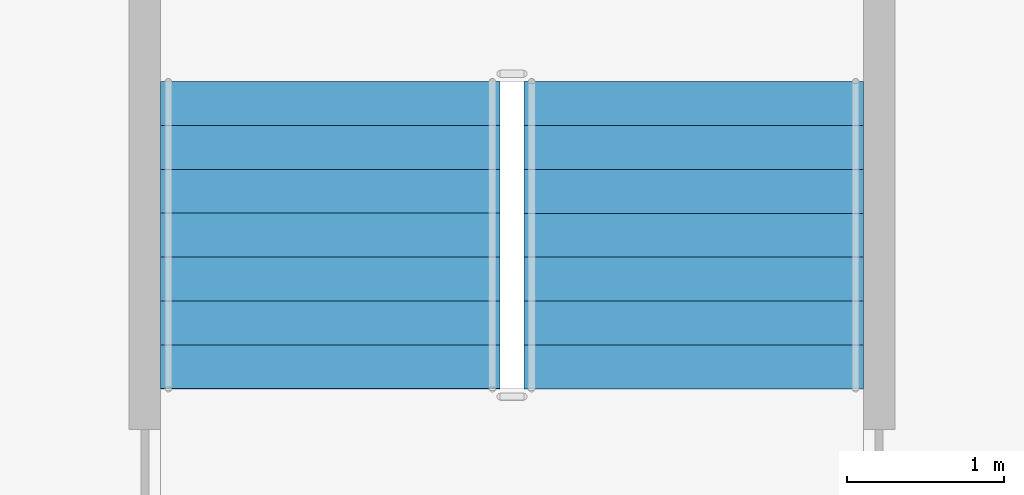
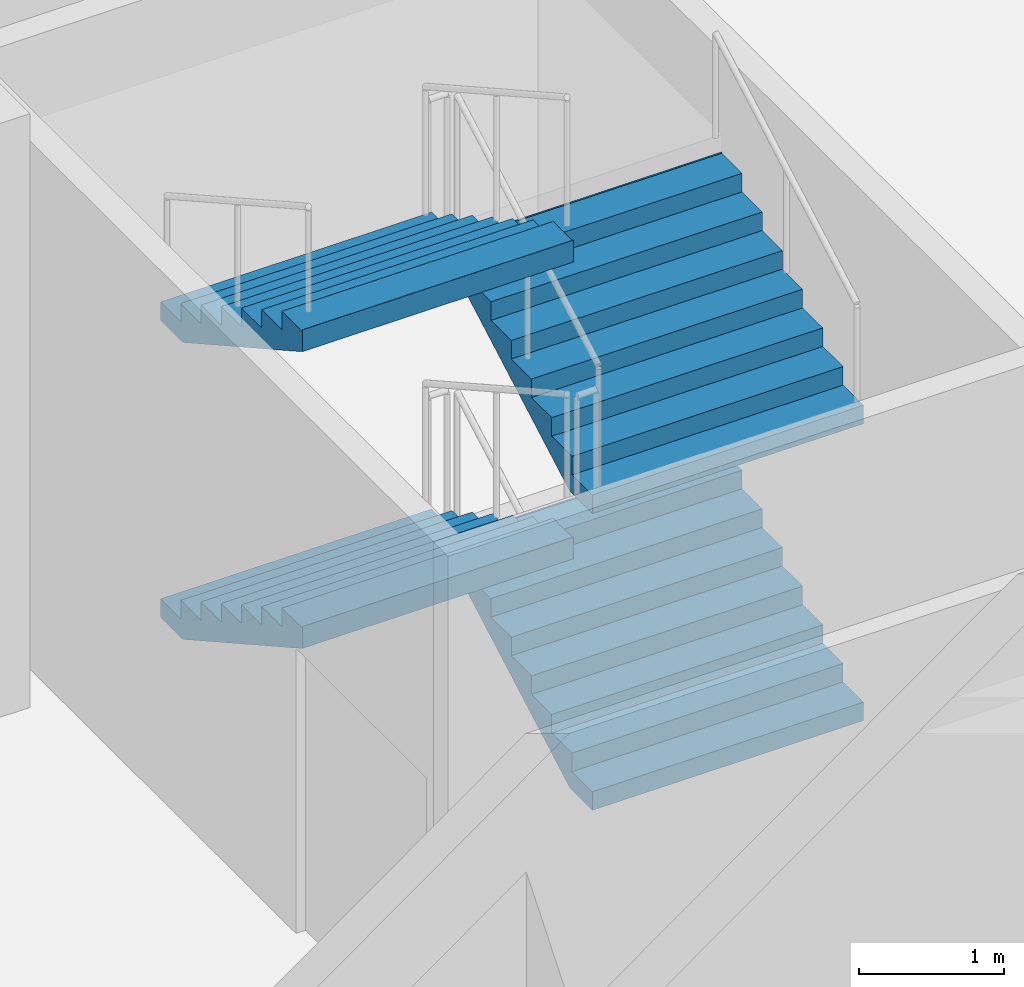
# One storey, part 14 of 24: 4 stair flights, 1 element without a shape of its own.
"""IFC4 building model written with IfcOpenShell, lengths in metres."""

from ifc_helpers import new_model, si_unit, direction, frame, origin, place, context, subcontext, project, spatial, faceted_brep, source, transform, mapped, material, type_object, element, aggregate, save


model = new_model("IFC4")

# Units and contexts
model_context = context("Model", 3, precision=1e-05, world=origin(), true_north=direction((0.0, 1.0)))
body_context = subcontext(model_context, "Body", "Model", "MODEL_VIEW")
ifc_project = project(units=[si_unit("LENGTHUNIT", "METRE"), si_unit("AREAUNIT", "SQUARE_METRE"), si_unit("VOLUMEUNIT", "CUBIC_METRE"), si_unit("PLANEANGLEUNIT", "RADIAN"), si_unit("MASSUNIT", "GRAM", prefix="KILO")], contexts=[model_context])

# Site, building, storey
site_placement = place(None, origin())
site = spatial("IfcSite", under=ifc_project, at=site_placement, CompositionType="ELEMENT")
building_placement = place(site_placement, origin())
building = spatial("IfcBuilding", under=site, at=building_placement, Name="Calabash Gate Tower", CompositionType="ELEMENT")
storey_placement = place(building_placement, frame((0.0, 0.0, -5.0)))
storey = spatial("IfcBuildingStorey", under=building, at=storey_placement, Name="B1", CompositionType="ELEMENT", Elevation=-5.0)

# Stair, stair flights
ifc_material_1 = material(Name="Concrete C40/50", Category="concrete")
stair_type = type_object("IfcStairType", Name="Public stair 32 risers of 156.2 mm", PredefinedType="HALF_TURN_STAIR", material=ifc_material_1)
stair_placement = place(storey_placement, origin())
stair = element("IfcStair", 1, at=stair_placement, inside=storey, type_object=stair_type, Name="B1 Public Stair PS4", PredefinedType="HALF_TURN_STAIR")
ifc_material_2 = material(Name="Concrete C40/50", Category="concrete")
stair_flight_type = type_object("IfcStairFlightType", Name="Exit stair flight SFL", PredefinedType="STRAIGHT", material=ifc_material_2)
shared_shape = source(origin(), body_context, "Body", "Brep", [
    faceted_brep([(-0.0009765625, -1.080078125, 0.0), (0.306884765625, -1.080078125, 0.0), (1.9541015625, -1.080078125, 0.921875), (-0.0009765625, 1.080078125, 0.0), (1.9541015625, 1.080078125, 0.921875), (0.306884765625, 1.080078125, 0.0), (1.9541015625, -1.080078125, 1.105712890625), (1.952880859375, -1.080078125, 1.105712890625), (1.952880859375, 1.080078125, 1.105712890625), (1.9541015625, 1.080078125, 1.105712890625), (1.952880859375, -1.080078125, 1.09375), (1.952880859375, 1.080078125, 1.09375), (1.674072265625, -1.080078125, 1.09375), (1.674072265625, 1.080078125, 1.09375), (1.674072265625, -1.080078125, 0.9375), (1.674072265625, 1.080078125, 0.9375), (1.39501953125, -1.080078125, 0.9375), (1.39501953125, 1.080078125, 0.9375), (1.39501953125, -1.080078125, 0.78125), (1.39501953125, 1.080078125, 0.78125), (1.115966796875, -1.080078125, 0.78125), (1.115966796875, -1.080078125, 0.625), (1.115966796875, 1.080078125, 0.625), (1.115966796875, 1.080078125, 0.78125), (0.8369140625, -1.080078125, 0.625), (0.8369140625, -1.080078125, 0.46875), (0.8369140625, 1.080078125, 0.46875), (0.8369140625, 1.080078125, 0.625), (0.55810546875, -1.080078125, 0.46875), (0.55810546875, -1.080078125, 0.3125), (0.55810546875, 1.080078125, 0.3125), (0.55810546875, 1.080078125, 0.46875), (0.279052734375, -1.080078125, 0.3125), (0.279052734375, -1.080078125, 0.15625), (0.279052734375, 1.080078125, 0.15625), (0.279052734375, 1.080078125, 0.3125), (-0.0009765625, -1.080078125, 0.15625), (-0.0009765625, 1.080078125, 0.15625), (0.306884765625, -0.431884765625, 0.0), (1.9541015625, -0.431884765625, 0.921875), (0.306884765625, -0.370361328125, 0.0), (1.9541015625, -0.370361328125, 0.921875), (0.306884765625, -0.30859375, 0.0), (1.9541015625, -0.30859375, 0.921875), (0.306884765625, -0.246826171875, 0.0), (1.9541015625, -0.246826171875, 0.921875), (0.306884765625, -0.18505859375, 0.0), (1.9541015625, -0.18505859375, 0.921875), (0.306884765625, -0.12353515625, 0.0), (1.9541015625, -0.12353515625, 0.921875), (0.306884765625, -0.061767578125, 0.0), (1.9541015625, -0.061767578125, 0.921875), (0.306884765625, 0.0, 0.0), (1.9541015625, 0.0, 0.921875), (0.306884765625, 0.061767578125, 0.0), (1.9541015625, 0.061767578125, 0.921875), (0.306884765625, 0.12353515625, 0.0), (1.9541015625, 0.12353515625, 0.921875), (0.306884765625, 0.18505859375, 0.0), (1.9541015625, 0.18505859375, 0.921875), (0.306884765625, 0.246826171875, 0.0), (1.9541015625, 0.246826171875, 0.921875), (0.306884765625, 0.30859375, 0.0), (1.9541015625, 0.30859375, 0.921875), (0.306884765625, 0.370361328125, 0.0), (1.9541015625, 0.370361328125, 0.921875), (0.306884765625, 0.431884765625, 0.0), (1.9541015625, 0.431884765625, 0.921875), (1.9541015625, -0.431884765625, 1.105712890625), (1.9541015625, -0.370361328125, 1.105712890625), (1.9541015625, -0.30859375, 1.105712890625), (1.9541015625, -0.246826171875, 1.105712890625), (1.9541015625, -0.18505859375, 1.105712890625), (1.9541015625, -0.12353515625, 1.105712890625), (1.9541015625, -0.061767578125, 1.105712890625), (1.9541015625, 0.0, 1.105712890625), (1.9541015625, 0.061767578125, 1.105712890625), (1.9541015625, 0.12353515625, 1.105712890625), (1.9541015625, 0.18505859375, 1.105712890625), (1.9541015625, 0.246826171875, 1.105712890625), (1.9541015625, 0.30859375, 1.105712890625), (1.9541015625, 0.370361328125, 1.105712890625), (1.9541015625, 0.431884765625, 1.105712890625), (1.952880859375, -0.431884765625, 1.105712890625), (1.952880859375, -0.370361328125, 1.105712890625), (1.952880859375, -0.30859375, 1.105712890625), (1.952880859375, -0.246826171875, 1.105712890625), (1.952880859375, -0.18505859375, 1.105712890625), (1.952880859375, -0.12353515625, 1.105712890625), (1.952880859375, -0.061767578125, 1.105712890625), (1.952880859375, 0.0, 1.105712890625), (1.952880859375, 0.061767578125, 1.105712890625), (1.952880859375, 0.12353515625, 1.105712890625), (1.952880859375, 0.18505859375, 1.105712890625), (1.952880859375, 0.246826171875, 1.105712890625), (1.952880859375, 0.30859375, 1.105712890625), (1.952880859375, 0.370361328125, 1.105712890625), (1.952880859375, 0.431884765625, 1.105712890625), (1.952880859375, -0.431884765625, 1.09375), (1.952880859375, -0.370361328125, 1.09375), (1.952880859375, -0.30859375, 1.09375), (1.952880859375, -0.246826171875, 1.09375), (1.952880859375, -0.18505859375, 1.09375), (1.952880859375, -0.12353515625, 1.09375), (1.952880859375, -0.061767578125, 1.09375), (1.952880859375, 0.0, 1.09375), (1.952880859375, 0.061767578125, 1.09375), (1.952880859375, 0.12353515625, 1.09375), (1.952880859375, 0.18505859375, 1.09375), (1.952880859375, 0.246826171875, 1.09375), (1.952880859375, 0.30859375, 1.09375), (1.952880859375, 0.370361328125, 1.09375), (1.952880859375, 0.431884765625, 1.09375), (1.674072265625, -0.431884765625, 1.09375), (1.674072265625, -0.370361328125, 1.09375), (1.674072265625, -0.30859375, 1.09375), (1.674072265625, -0.246826171875, 1.09375), (1.674072265625, -0.18505859375, 1.09375), (1.674072265625, -0.12353515625, 1.09375), (1.674072265625, -0.061767578125, 1.09375), (1.674072265625, 0.0, 1.09375), (1.674072265625, 0.061767578125, 1.09375), (1.674072265625, 0.12353515625, 1.09375), (1.674072265625, 0.18505859375, 1.09375), (1.674072265625, 0.246826171875, 1.09375), (1.674072265625, 0.30859375, 1.09375), (1.674072265625, 0.370361328125, 1.09375), (1.674072265625, 0.431884765625, 1.09375), (1.674072265625, -0.431884765625, 0.9375), (1.674072265625, -0.370361328125, 0.9375), (1.674072265625, -0.30859375, 0.9375), (1.674072265625, -0.246826171875, 0.9375), (1.674072265625, -0.18505859375, 0.9375), (1.674072265625, -0.12353515625, 0.9375), (1.674072265625, -0.061767578125, 0.9375), (1.674072265625, 0.0, 0.9375), (1.674072265625, 0.061767578125, 0.9375), (1.674072265625, 0.12353515625, 0.9375), (1.674072265625, 0.18505859375, 0.9375), (1.674072265625, 0.246826171875, 0.9375), (1.674072265625, 0.30859375, 0.9375), (1.674072265625, 0.370361328125, 0.9375), (1.674072265625, 0.431884765625, 0.9375), (1.39501953125, -0.431884765625, 0.9375), (1.39501953125, -0.370361328125, 0.9375), (1.39501953125, -0.30859375, 0.9375), (1.39501953125, -0.246826171875, 0.9375), (1.39501953125, -0.18505859375, 0.9375), (1.39501953125, -0.12353515625, 0.9375), (1.39501953125, -0.061767578125, 0.9375), (1.39501953125, 0.0, 0.9375), (1.39501953125, 0.061767578125, 0.9375), (1.39501953125, 0.12353515625, 0.9375), (1.39501953125, 0.18505859375, 0.9375), (1.39501953125, 0.246826171875, 0.9375), (1.39501953125, 0.30859375, 0.9375), (1.39501953125, 0.370361328125, 0.9375), (1.39501953125, 0.431884765625, 0.9375), (1.39501953125, -0.431884765625, 0.78125), (1.39501953125, -0.370361328125, 0.78125), (1.39501953125, -0.30859375, 0.78125), (1.39501953125, -0.246826171875, 0.78125), (1.39501953125, -0.18505859375, 0.78125), (1.39501953125, -0.12353515625, 0.78125), (1.39501953125, -0.061767578125, 0.78125), (1.39501953125, 0.0, 0.78125), (1.39501953125, 0.061767578125, 0.78125), (1.39501953125, 0.12353515625, 0.78125), (1.39501953125, 0.18505859375, 0.78125), (1.39501953125, 0.246826171875, 0.78125), (1.39501953125, 0.30859375, 0.78125), (1.39501953125, 0.370361328125, 0.78125), (1.39501953125, 0.431884765625, 0.78125), (1.115966796875, -0.431884765625, 0.78125), (1.115966796875, -0.370361328125, 0.78125), (1.115966796875, -0.30859375, 0.78125), (1.115966796875, -0.246826171875, 0.78125), (1.115966796875, -0.18505859375, 0.78125), (1.115966796875, -0.12353515625, 0.78125), (1.115966796875, -0.061767578125, 0.78125), (1.115966796875, 0.0, 0.78125), (1.115966796875, 0.061767578125, 0.78125), (1.115966796875, 0.12353515625, 0.78125), (1.115966796875, 0.18505859375, 0.78125), (1.115966796875, 0.246826171875, 0.78125), (1.115966796875, 0.30859375, 0.78125), (1.115966796875, 0.370361328125, 0.78125), (1.115966796875, 0.431884765625, 0.78125), (1.115966796875, -0.431884765625, 0.625), (1.115966796875, -0.370361328125, 0.625), (1.115966796875, -0.30859375, 0.625), (1.115966796875, -0.246826171875, 0.625), (1.115966796875, -0.18505859375, 0.625), (1.115966796875, -0.12353515625, 0.625), (1.115966796875, -0.061767578125, 0.625), (1.115966796875, 0.0, 0.625), (1.115966796875, 0.061767578125, 0.625), (1.115966796875, 0.12353515625, 0.625), (1.115966796875, 0.18505859375, 0.625), (1.115966796875, 0.246826171875, 0.625), (1.115966796875, 0.30859375, 0.625), (1.115966796875, 0.370361328125, 0.625), (1.115966796875, 0.431884765625, 0.625), (0.8369140625, -0.431884765625, 0.625), (0.8369140625, -0.370361328125, 0.625), (0.8369140625, -0.30859375, 0.625), (0.8369140625, -0.246826171875, 0.625), (0.8369140625, -0.18505859375, 0.625), (0.8369140625, -0.12353515625, 0.625), (0.8369140625, -0.061767578125, 0.625), (0.8369140625, 0.0, 0.625), (0.8369140625, 0.061767578125, 0.625), (0.8369140625, 0.12353515625, 0.625), (0.8369140625, 0.18505859375, 0.625), (0.8369140625, 0.246826171875, 0.625), (0.8369140625, 0.30859375, 0.625), (0.8369140625, 0.370361328125, 0.625), (0.8369140625, 0.431884765625, 0.625), (0.8369140625, -0.431884765625, 0.46875), (0.8369140625, -0.370361328125, 0.46875), (0.8369140625, -0.30859375, 0.46875), (0.8369140625, -0.246826171875, 0.46875), (0.8369140625, -0.18505859375, 0.46875), (0.8369140625, -0.12353515625, 0.46875), (0.8369140625, -0.061767578125, 0.46875), (0.8369140625, 0.0, 0.46875), (0.8369140625, 0.061767578125, 0.46875), (0.8369140625, 0.12353515625, 0.46875), (0.8369140625, 0.18505859375, 0.46875), (0.8369140625, 0.246826171875, 0.46875), (0.8369140625, 0.30859375, 0.46875), (0.8369140625, 0.370361328125, 0.46875), (0.8369140625, 0.431884765625, 0.46875), (0.55810546875, -0.431884765625, 0.46875), (0.55810546875, -0.370361328125, 0.46875), (0.55810546875, -0.30859375, 0.46875), (0.55810546875, -0.246826171875, 0.46875), (0.55810546875, -0.18505859375, 0.46875), (0.55810546875, -0.12353515625, 0.46875), (0.55810546875, -0.061767578125, 0.46875), (0.55810546875, 0.0, 0.46875), (0.55810546875, 0.061767578125, 0.46875), (0.55810546875, 0.12353515625, 0.46875), (0.55810546875, 0.18505859375, 0.46875), (0.55810546875, 0.246826171875, 0.46875), (0.55810546875, 0.30859375, 0.46875), (0.55810546875, 0.370361328125, 0.46875), (0.55810546875, 0.431884765625, 0.46875), (0.55810546875, -0.431884765625, 0.3125), (0.55810546875, -0.370361328125, 0.3125), (0.55810546875, -0.30859375, 0.3125), (0.55810546875, -0.246826171875, 0.3125), (0.55810546875, -0.18505859375, 0.3125), (0.55810546875, -0.12353515625, 0.3125), (0.55810546875, -0.061767578125, 0.3125), (0.55810546875, 0.0, 0.3125), (0.55810546875, 0.061767578125, 0.3125), (0.55810546875, 0.12353515625, 0.3125), (0.55810546875, 0.18505859375, 0.3125), (0.55810546875, 0.246826171875, 0.3125), (0.55810546875, 0.30859375, 0.3125), (0.55810546875, 0.370361328125, 0.3125), (0.55810546875, 0.431884765625, 0.3125), (0.279052734375, -0.431884765625, 0.3125), (0.279052734375, -0.370361328125, 0.3125), (0.279052734375, -0.30859375, 0.3125), (0.279052734375, -0.246826171875, 0.3125), (0.279052734375, -0.18505859375, 0.3125), (0.279052734375, -0.12353515625, 0.3125), (0.279052734375, -0.061767578125, 0.3125), (0.279052734375, 0.0, 0.3125), (0.279052734375, 0.061767578125, 0.3125), (0.279052734375, 0.12353515625, 0.3125), (0.279052734375, 0.18505859375, 0.3125), (0.279052734375, 0.246826171875, 0.3125), (0.279052734375, 0.30859375, 0.3125), (0.279052734375, 0.370361328125, 0.3125), (0.279052734375, 0.431884765625, 0.3125), (0.279052734375, -0.431884765625, 0.15625), (0.279052734375, -0.370361328125, 0.15625), (0.279052734375, -0.30859375, 0.15625), (0.279052734375, -0.246826171875, 0.15625), (0.279052734375, -0.18505859375, 0.15625), (0.279052734375, -0.12353515625, 0.15625), (0.279052734375, -0.061767578125, 0.15625), (0.279052734375, 0.0, 0.15625), (0.279052734375, 0.061767578125, 0.15625), (0.279052734375, 0.12353515625, 0.15625), (0.279052734375, 0.18505859375, 0.15625), (0.279052734375, 0.246826171875, 0.15625), (0.279052734375, 0.30859375, 0.15625), (0.279052734375, 0.370361328125, 0.15625), (0.279052734375, 0.431884765625, 0.15625), (-0.0009765625, -0.431884765625, 0.15625), (-0.0009765625, -0.370361328125, 0.15625), (-0.0009765625, -0.30859375, 0.15625), (-0.0009765625, -0.246826171875, 0.15625), (-0.0009765625, -0.18505859375, 0.15625), (-0.0009765625, -0.12353515625, 0.15625), (-0.0009765625, -0.061767578125, 0.15625), (-0.0009765625, 0.0, 0.15625), (-0.0009765625, 0.061767578125, 0.15625), (-0.0009765625, 0.12353515625, 0.15625), (-0.0009765625, 0.18505859375, 0.15625), (-0.0009765625, 0.246826171875, 0.15625), (-0.0009765625, 0.30859375, 0.15625), (-0.0009765625, 0.370361328125, 0.15625), (-0.0009765625, 0.431884765625, 0.15625), (-0.0009765625, -0.431884765625, 0.0), (-0.0009765625, -0.370361328125, 0.0), (-0.0009765625, -0.30859375, 0.0), (-0.0009765625, -0.246826171875, 0.0), (-0.0009765625, -0.18505859375, 0.0), (-0.0009765625, -0.12353515625, 0.0), (-0.0009765625, -0.061767578125, 0.0), (-0.0009765625, 0.0, 0.0), (-0.0009765625, 0.061767578125, 0.0), (-0.0009765625, 0.12353515625, 0.0), (-0.0009765625, 0.18505859375, 0.0), (-0.0009765625, 0.246826171875, 0.0), (-0.0009765625, 0.30859375, 0.0), (-0.0009765625, 0.370361328125, 0.0), (-0.0009765625, 0.431884765625, 0.0)], [[[0, 1, 2]], [[3, 4, 5]], [[2, 6, 7]], [[4, 8, 9]], [[2, 7, 10]], [[4, 11, 8]], [[2, 10, 12]], [[4, 13, 11]], [[2, 12, 14]], [[4, 15, 13]], [[2, 14, 16]], [[4, 17, 15]], [[2, 16, 18]], [[4, 19, 17]], [[18, 20, 21]], [[19, 22, 23]], [[2, 18, 21]], [[4, 22, 19]], [[21, 24, 25]], [[22, 26, 27]], [[2, 21, 25]], [[4, 26, 22]], [[25, 28, 29]], [[26, 30, 31]], [[2, 25, 29]], [[4, 30, 26]], [[29, 32, 33]], [[30, 34, 35]], [[2, 29, 33]], [[4, 34, 30]], [[0, 2, 33]], [[3, 34, 4]], [[33, 36, 0]], [[34, 3, 37]], [[1, 38, 2]], [[38, 39, 2]], [[38, 40, 39]], [[40, 41, 39]], [[40, 42, 41]], [[42, 43, 41]], [[42, 44, 43]], [[44, 45, 43]], [[44, 46, 45]], [[46, 47, 45]], [[46, 48, 47]], [[48, 49, 47]], [[48, 50, 49]], [[50, 51, 49]], [[50, 52, 51]], [[52, 53, 51]], [[52, 54, 55]], [[52, 55, 53]], [[54, 56, 57]], [[54, 57, 55]], [[56, 58, 59]], [[56, 59, 57]], [[58, 60, 61]], [[58, 61, 59]], [[60, 62, 63]], [[60, 63, 61]], [[62, 64, 65]], [[62, 65, 63]], [[64, 66, 67]], [[64, 67, 65]], [[66, 5, 4]], [[66, 4, 67]], [[2, 39, 6]], [[39, 68, 6]], [[39, 41, 68]], [[41, 69, 68]], [[41, 43, 69]], [[43, 70, 69]], [[43, 45, 70]], [[45, 71, 70]], [[45, 47, 71]], [[47, 72, 71]], [[47, 49, 72]], [[49, 73, 72]], [[49, 51, 73]], [[51, 74, 73]], [[51, 53, 74]], [[53, 75, 74]], [[53, 55, 76]], [[53, 76, 75]], [[55, 57, 77]], [[55, 77, 76]], [[57, 59, 78]], [[57, 78, 77]], [[59, 61, 79]], [[59, 79, 78]], [[61, 63, 80]], [[61, 80, 79]], [[63, 65, 81]], [[63, 81, 80]], [[65, 67, 82]], [[65, 82, 81]], [[67, 4, 9]], [[67, 9, 82]], [[6, 68, 7]], [[68, 83, 7]], [[68, 69, 83]], [[69, 84, 83]], [[69, 70, 84]], [[70, 85, 84]], [[70, 71, 85]], [[71, 86, 85]], [[71, 72, 86]], [[72, 87, 86]], [[72, 73, 87]], [[73, 88, 87]], [[73, 74, 88]], [[74, 89, 88]], [[74, 75, 89]], [[75, 90, 89]], [[75, 76, 91]], [[75, 91, 90]], [[76, 77, 92]], [[76, 92, 91]], [[77, 78, 93]], [[77, 93, 92]], [[78, 79, 94]], [[78, 94, 93]], [[79, 80, 95]], [[79, 95, 94]], [[80, 81, 96]], [[80, 96, 95]], [[81, 82, 97]], [[81, 97, 96]], [[82, 9, 8]], [[82, 8, 97]], [[7, 83, 10]], [[83, 98, 10]], [[83, 84, 98]], [[84, 99, 98]], [[84, 85, 99]], [[85, 100, 99]], [[85, 86, 100]], [[86, 101, 100]], [[86, 87, 101]], [[87, 102, 101]], [[87, 88, 102]], [[88, 103, 102]], [[88, 89, 103]], [[89, 104, 103]], [[89, 90, 104]], [[90, 105, 104]], [[90, 91, 106]], [[90, 106, 105]], [[91, 92, 107]], [[91, 107, 106]], [[92, 93, 108]], [[92, 108, 107]], [[93, 94, 109]], [[93, 109, 108]], [[94, 95, 110]], [[94, 110, 109]], [[95, 96, 111]], [[95, 111, 110]], [[96, 97, 112]], [[96, 112, 111]], [[97, 8, 11]], [[97, 11, 112]], [[10, 98, 12]], [[98, 113, 12]], [[98, 99, 113]], [[99, 114, 113]], [[99, 100, 114]], [[100, 115, 114]], [[100, 101, 115]], [[101, 116, 115]], [[101, 102, 116]], [[102, 117, 116]], [[102, 103, 117]], [[103, 118, 117]], [[103, 104, 118]], [[104, 119, 118]], [[104, 105, 119]], [[105, 120, 119]], [[105, 106, 121]], [[105, 121, 120]], [[106, 107, 122]], [[106, 122, 121]], [[107, 108, 123]], [[107, 123, 122]], [[108, 109, 124]], [[108, 124, 123]], [[109, 110, 125]], [[109, 125, 124]], [[110, 111, 126]], [[110, 126, 125]], [[111, 112, 127]], [[111, 127, 126]], [[112, 11, 13]], [[112, 13, 127]], [[12, 113, 14]], [[113, 128, 14]], [[113, 114, 128]], [[114, 129, 128]], [[114, 115, 129]], [[115, 130, 129]], [[115, 116, 130]], [[116, 131, 130]], [[116, 117, 131]], [[117, 132, 131]], [[117, 118, 132]], [[118, 133, 132]], [[118, 119, 133]], [[119, 134, 133]], [[119, 120, 134]], [[120, 135, 134]], [[120, 121, 136]], [[120, 136, 135]], [[121, 122, 137]], [[121, 137, 136]], [[122, 123, 138]], [[122, 138, 137]], [[123, 124, 139]], [[123, 139, 138]], [[124, 125, 140]], [[124, 140, 139]], [[125, 126, 141]], [[125, 141, 140]], [[126, 127, 142]], [[126, 142, 141]], [[127, 13, 15]], [[127, 15, 142]], [[14, 128, 16]], [[128, 143, 16]], [[128, 129, 143]], [[129, 144, 143]], [[129, 130, 144]], [[130, 145, 144]], [[130, 131, 145]], [[131, 146, 145]], [[131, 132, 146]], [[132, 147, 146]], [[132, 133, 147]], [[133, 148, 147]], [[133, 134, 148]], [[134, 149, 148]], [[134, 135, 149]], [[135, 150, 149]], [[135, 136, 151]], [[135, 151, 150]], [[136, 137, 152]], [[136, 152, 151]], [[137, 138, 153]], [[137, 153, 152]], [[138, 139, 154]], [[138, 154, 153]], [[139, 140, 155]], [[139, 155, 154]], [[140, 141, 156]], [[140, 156, 155]], [[141, 142, 157]], [[141, 157, 156]], [[142, 15, 17]], [[142, 17, 157]], [[16, 143, 18]], [[143, 158, 18]], [[143, 144, 158]], [[144, 159, 158]], [[144, 145, 159]], [[145, 160, 159]], [[145, 146, 160]], [[146, 161, 160]], [[146, 147, 161]], [[147, 162, 161]], [[147, 148, 162]], [[148, 163, 162]], [[148, 149, 163]], [[149, 164, 163]], [[149, 150, 164]], [[150, 165, 164]], [[150, 151, 166]], [[150, 166, 165]], [[151, 152, 167]], [[151, 167, 166]], [[152, 153, 168]], [[152, 168, 167]], [[153, 154, 169]], [[153, 169, 168]], [[154, 155, 170]], [[154, 170, 169]], [[155, 156, 171]], [[155, 171, 170]], [[156, 157, 172]], [[156, 172, 171]], [[157, 17, 19]], [[157, 19, 172]], [[18, 158, 20]], [[158, 173, 20]], [[158, 159, 173]], [[159, 174, 173]], [[159, 160, 174]], [[160, 175, 174]], [[160, 161, 175]], [[161, 176, 175]], [[161, 162, 176]], [[162, 177, 176]], [[162, 163, 177]], [[163, 178, 177]], [[163, 164, 178]], [[164, 179, 178]], [[164, 165, 179]], [[165, 180, 179]], [[165, 166, 181]], [[165, 181, 180]], [[166, 167, 182]], [[166, 182, 181]], [[167, 168, 183]], [[167, 183, 182]], [[168, 169, 184]], [[168, 184, 183]], [[169, 170, 185]], [[169, 185, 184]], [[170, 171, 186]], [[170, 186, 185]], [[171, 172, 187]], [[171, 187, 186]], [[172, 19, 23]], [[172, 23, 187]], [[20, 173, 21]], [[173, 188, 21]], [[173, 174, 188]], [[174, 189, 188]], [[174, 175, 189]], [[175, 190, 189]], [[175, 176, 190]], [[176, 191, 190]], [[176, 177, 191]], [[177, 192, 191]], [[177, 178, 192]], [[178, 193, 192]], [[178, 179, 193]], [[179, 194, 193]], [[179, 180, 194]], [[180, 195, 194]], [[180, 181, 196]], [[180, 196, 195]], [[181, 182, 197]], [[181, 197, 196]], [[182, 183, 198]], [[182, 198, 197]], [[183, 184, 199]], [[183, 199, 198]], [[184, 185, 200]], [[184, 200, 199]], [[185, 186, 201]], [[185, 201, 200]], [[186, 187, 202]], [[186, 202, 201]], [[187, 23, 22]], [[187, 22, 202]], [[21, 188, 24]], [[188, 203, 24]], [[188, 189, 203]], [[189, 204, 203]], [[189, 190, 204]], [[190, 205, 204]], [[190, 191, 205]], [[191, 206, 205]], [[191, 192, 206]], [[192, 207, 206]], [[192, 193, 207]], [[193, 208, 207]], [[193, 194, 208]], [[194, 209, 208]], [[194, 195, 209]], [[195, 210, 209]], [[195, 196, 211]], [[195, 211, 210]], [[196, 197, 212]], [[196, 212, 211]], [[197, 198, 213]], [[197, 213, 212]], [[198, 199, 214]], [[198, 214, 213]], [[199, 200, 215]], [[199, 215, 214]], [[200, 201, 216]], [[200, 216, 215]], [[201, 202, 217]], [[201, 217, 216]], [[202, 22, 27]], [[202, 27, 217]], [[24, 203, 25]], [[203, 218, 25]], [[203, 204, 218]], [[204, 219, 218]], [[204, 205, 219]], [[205, 220, 219]], [[205, 206, 220]], [[206, 221, 220]], [[206, 207, 221]], [[207, 222, 221]], [[207, 208, 222]], [[208, 223, 222]], [[208, 209, 223]], [[209, 224, 223]], [[209, 210, 224]], [[210, 225, 224]], [[210, 211, 226]], [[210, 226, 225]], [[211, 212, 227]], [[211, 227, 226]], [[212, 213, 228]], [[212, 228, 227]], [[213, 214, 229]], [[213, 229, 228]], [[214, 215, 230]], [[214, 230, 229]], [[215, 216, 231]], [[215, 231, 230]], [[216, 217, 232]], [[216, 232, 231]], [[217, 27, 26]], [[217, 26, 232]], [[25, 218, 28]], [[218, 233, 28]], [[218, 219, 233]], [[219, 234, 233]], [[219, 220, 234]], [[220, 235, 234]], [[220, 221, 235]], [[221, 236, 235]], [[221, 222, 236]], [[222, 237, 236]], [[222, 223, 237]], [[223, 238, 237]], [[223, 224, 238]], [[224, 239, 238]], [[224, 225, 239]], [[225, 240, 239]], [[225, 226, 241]], [[225, 241, 240]], [[226, 227, 242]], [[226, 242, 241]], [[227, 228, 243]], [[227, 243, 242]], [[228, 229, 244]], [[228, 244, 243]], [[229, 230, 245]], [[229, 245, 244]], [[230, 231, 246]], [[230, 246, 245]], [[231, 232, 247]], [[231, 247, 246]], [[232, 26, 31]], [[232, 31, 247]], [[28, 233, 29]], [[233, 248, 29]], [[233, 234, 248]], [[234, 249, 248]], [[234, 235, 249]], [[235, 250, 249]], [[235, 236, 250]], [[236, 251, 250]], [[236, 237, 251]], [[237, 252, 251]], [[237, 238, 252]], [[238, 253, 252]], [[238, 239, 253]], [[239, 254, 253]], [[239, 240, 254]], [[240, 255, 254]], [[240, 241, 256]], [[240, 256, 255]], [[241, 242, 257]], [[241, 257, 256]], [[242, 243, 258]], [[242, 258, 257]], [[243, 244, 259]], [[243, 259, 258]], [[244, 245, 260]], [[244, 260, 259]], [[245, 246, 261]], [[245, 261, 260]], [[246, 247, 262]], [[246, 262, 261]], [[247, 31, 30]], [[247, 30, 262]], [[29, 248, 32]], [[248, 263, 32]], [[248, 249, 263]], [[249, 264, 263]], [[249, 250, 264]], [[250, 265, 264]], [[250, 251, 265]], [[251, 266, 265]], [[251, 252, 266]], [[252, 267, 266]], [[252, 253, 267]], [[253, 268, 267]], [[253, 254, 268]], [[254, 269, 268]], [[254, 255, 269]], [[255, 270, 269]], [[255, 256, 271]], [[255, 271, 270]], [[256, 257, 272]], [[256, 272, 271]], [[257, 258, 273]], [[257, 273, 272]], [[258, 259, 274]], [[258, 274, 273]], [[259, 260, 275]], [[259, 275, 274]], [[260, 261, 276]], [[260, 276, 275]], [[261, 262, 277]], [[261, 277, 276]], [[262, 30, 35]], [[262, 35, 277]], [[32, 263, 33]], [[263, 278, 33]], [[263, 264, 278]], [[264, 279, 278]], [[264, 265, 279]], [[265, 280, 279]], [[265, 266, 280]], [[266, 281, 280]], [[266, 267, 281]], [[267, 282, 281]], [[267, 268, 282]], [[268, 283, 282]], [[268, 269, 283]], [[269, 284, 283]], [[269, 270, 284]], [[270, 285, 284]], [[270, 271, 286]], [[270, 286, 285]], [[271, 272, 287]], [[271, 287, 286]], [[272, 273, 288]], [[272, 288, 287]], [[273, 274, 289]], [[273, 289, 288]], [[274, 275, 290]], [[274, 290, 289]], [[275, 276, 291]], [[275, 291, 290]], [[276, 277, 292]], [[276, 292, 291]], [[277, 35, 34]], [[277, 34, 292]], [[33, 278, 36]], [[278, 293, 36]], [[278, 279, 293]], [[279, 294, 293]], [[279, 280, 294]], [[280, 295, 294]], [[280, 281, 295]], [[281, 296, 295]], [[281, 282, 296]], [[282, 297, 296]], [[282, 283, 297]], [[283, 298, 297]], [[283, 284, 298]], [[284, 299, 298]], [[284, 285, 299]], [[285, 300, 299]], [[285, 286, 301]], [[285, 301, 300]], [[286, 287, 302]], [[286, 302, 301]], [[287, 288, 303]], [[287, 303, 302]], [[288, 289, 304]], [[288, 304, 303]], [[289, 290, 305]], [[289, 305, 304]], [[290, 291, 306]], [[290, 306, 305]], [[291, 292, 307]], [[291, 307, 306]], [[292, 34, 37]], [[292, 37, 307]], [[36, 293, 0]], [[293, 308, 0]], [[293, 294, 308]], [[294, 309, 308]], [[294, 295, 309]], [[295, 310, 309]], [[295, 296, 310]], [[296, 311, 310]], [[296, 297, 311]], [[297, 312, 311]], [[297, 298, 312]], [[298, 313, 312]], [[298, 299, 313]], [[299, 314, 313]], [[299, 300, 314]], [[300, 315, 314]], [[300, 301, 316]], [[300, 316, 315]], [[301, 302, 317]], [[301, 317, 316]], [[302, 303, 318]], [[302, 318, 317]], [[303, 304, 319]], [[303, 319, 318]], [[304, 305, 320]], [[304, 320, 319]], [[305, 306, 321]], [[305, 321, 320]], [[306, 307, 322]], [[306, 322, 321]], [[307, 37, 3]], [[307, 3, 322]], [[0, 308, 1]], [[308, 38, 1]], [[308, 309, 38]], [[309, 40, 38]], [[309, 310, 40]], [[310, 42, 40]], [[310, 311, 42]], [[311, 44, 42]], [[311, 312, 44]], [[312, 46, 44]], [[312, 313, 46]], [[313, 48, 46]], [[313, 314, 48]], [[314, 50, 48]], [[314, 315, 50]], [[315, 52, 50]], [[315, 316, 54]], [[315, 54, 52]], [[316, 317, 56]], [[316, 56, 54]], [[317, 318, 58]], [[317, 58, 56]], [[318, 319, 60]], [[318, 60, 58]], [[319, 320, 62]], [[319, 62, 60]], [[320, 321, 64]], [[320, 64, 62]], [[321, 322, 66]], [[321, 66, 64]], [[322, 3, 5]], [[322, 5, 66]]]),
])
stair_flight_1_placement = place(storey_placement, frame((-34.780029296875, -0.0400390625, 0.0), z_axis=(0.0, 0.0, 1.0), x_axis=(0.0, 1.0, 0.0)))
stair_flight_1 = element("IfcStairFlight", 2, at=stair_flight_1_placement, type_object=stair_flight_type, Name="PS4 flight 1", NumberOfRisers=8, NumberOfTreads=7, PredefinedType="STRAIGHT", RiserHeight=0.15625, TreadLength=0.279, context=body_context, shape_type="MappedRepresentation", body=[
    mapped(shared_shape, transform((0.0, 0.0, 0.0), scale=1.0)),
])
stair_flight_2_placement = place(storey_placement, frame((-37.090087890625, 1.9130859375, 1.25), z_axis=(0.0, 0.0, 1.0), x_axis=(0.0, -1.0, 0.0)))
stair_flight_2 = element("IfcStairFlight", 3, at=stair_flight_2_placement, type_object=stair_flight_type, Name="PS4 flight 2", NumberOfRisers=8, NumberOfTreads=7, PredefinedType="STRAIGHT", RiserHeight=0.15625, TreadLength=0.279, context=body_context, shape_type="MappedRepresentation", body=[
    mapped(shared_shape, transform((0.0, 0.0, 0.0), scale=1.0)),
])
stair_flight_3_placement = place(storey_placement, frame((-34.780029296875, -0.0400390625, 2.5), z_axis=(0.0, 0.0, 1.0), x_axis=(0.0, 1.0, 0.0)))
stair_flight_3 = element("IfcStairFlight", 4, at=stair_flight_3_placement, type_object=stair_flight_type, Name="PS4 flight 3", NumberOfRisers=8, NumberOfTreads=7, PredefinedType="STRAIGHT", RiserHeight=0.15625, TreadLength=0.279, context=body_context, shape_type="MappedRepresentation", body=[
    mapped(shared_shape, transform((0.0, 0.0, 0.0), scale=1.0)),
])
stair_flight_4_placement = place(storey_placement, frame((-37.090087890625, 1.9130859375, 3.75), z_axis=(0.0, 0.0, 1.0), x_axis=(0.0, -1.0, 0.0)))
stair_flight_4 = element("IfcStairFlight", 5, at=stair_flight_4_placement, type_object=stair_flight_type, Name="PS4 flight 4", NumberOfRisers=8, NumberOfTreads=7, PredefinedType="STRAIGHT", RiserHeight=0.15625, TreadLength=0.279, context=body_context, shape_type="MappedRepresentation", body=[
    mapped(shared_shape, transform((0.0, 0.0, 0.0), scale=1.0)),
])
aggregate(stair, [stair_flight_1, stair_flight_2, stair_flight_3, stair_flight_4])

save(model, "model.ifc")
